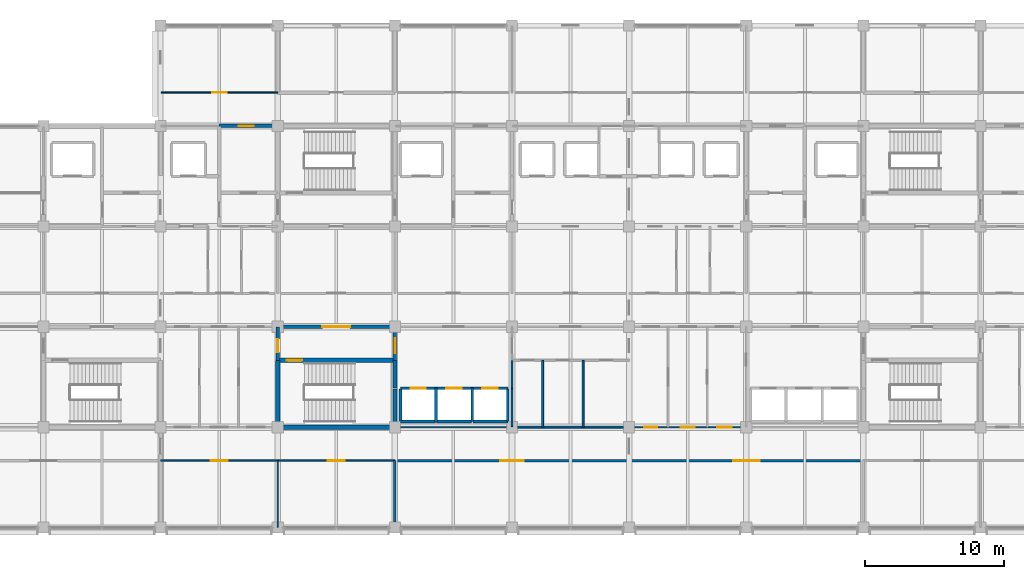
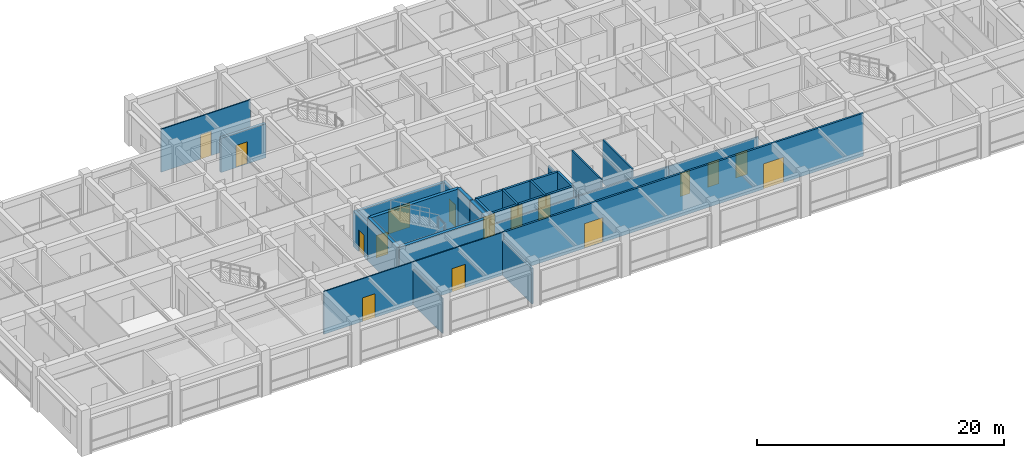
# One storey, part 18 of 30: 29 walls, 16 doors, 16 openings.
"""IFC4 building model written with IfcOpenShell, lengths in metres."""

from ifc_helpers import new_model, si_unit, direction, frame, frame_2d, origin, place, context, subcontext, project, spatial, rectangle, extrude, material, layer, layer_set, type_object, element, fill, save


model = new_model("IFC4")

# Units and contexts
model_context = context("Model", 3, precision=1e-05, world=origin(), true_north=direction((0.0, 1.0)))
body_context = subcontext(model_context, "Body", "Model", "MODEL_VIEW")
ifc_project = project(units=[si_unit("LENGTHUNIT", "METRE"), si_unit("AREAUNIT", "SQUARE_METRE"), si_unit("VOLUMEUNIT", "CUBIC_METRE"), si_unit("PLANEANGLEUNIT", "RADIAN"), si_unit("MASSUNIT", "GRAM", prefix="KILO")], contexts=[model_context])

# Site, building, storey
site_placement = place(None, origin())
site = spatial("IfcSite", under=ifc_project, at=site_placement, CompositionType="ELEMENT")
building_placement = place(site_placement, origin())
building = spatial("IfcBuilding", under=site, at=building_placement, Name="Chengyuan Square Courthouse", CompositionType="ELEMENT")
storey_placement = place(building_placement, frame((0.0, 0.0, 30.60009765625)))
storey = spatial("IfcBuildingStorey", under=building, at=storey_placement, Name="L07", CompositionType="ELEMENT", Elevation=30.60009765625)

# Wall, opening, door
ifc_material_1 = material(Name="Concrete C40", Category="concrete")
ifc_layer_1 = layer(ifc_material_1, 0.25)
ifc_layer_set_1 = layer_set([ifc_layer_1], Name="Concrete C40")
wall_type_1 = type_object("IfcWallType", Name="WL-FW1", PredefinedType="STANDARD", material=ifc_layer_set_1)
wall_1_placement = place(storey_placement, frame((58.800048828125, 93.60009765625, 0.0), z_axis=(0.0, 0.0, 1.0), x_axis=(1.0, 0.0, 0.0)))
wall_1 = element("IfcWall", 1, at=wall_1_placement, inside=storey, type_object=wall_type_1, Name="Interior Wall WL-L07-I2651", PredefinedType="STANDARD", context=body_context, shape_type="SweptSolid", body=[
    extrude(rectangle(XDim=8.39990234375, YDim=0.25, at=frame_2d((4.199951171875, 0.0))), origin(), (0.0, 0.0, 1.0), 3.389892578125),
])
opening_1_placement = place(wall_1_placement, frame((3.199951171875, 0.0, 0.0)))
opening_1 = element("IfcOpeningElement", 2, at=opening_1_placement, cuts=wall_1, Name="Opening DR-2316", PredefinedType="OPENING", context=body_context, shape_type="SweptSolid", body=[
    extrude(rectangle(XDim=2.0, YDim=2.39990234375, at=frame_2d((1.0, 1.199951171875))), frame((0.0, 0.136962890625, 0.0), z_axis=(0.0, -1.0, 0.0), x_axis=(1.0, 0.0, 0.0)), (0.0, 0.0, 1.0), 0.27392578125),
])
ifc_material_2 = material(Name="Steel Q235B Glazed Fire Door", Category="steel")
door_type_1 = type_object("IfcDoorType", Name="DT-20", OperationType="DOUBLE_DOOR_SINGLE_SWING", PredefinedType="DOOR", material=ifc_material_2)
door_1_placement = place(opening_1_placement, frame((2.0, 0.0, 0.0), z_axis=(0.0, 0.0, 1.0), x_axis=(-1.0, 0.0, 0.0)))
door_1 = element("IfcDoor", 3, at=door_1_placement, inside=storey, type_object=door_type_1, Name="Interior Door DR-2316", OperationType="DOUBLE_DOOR_SINGLE_SWING", OverallHeight=2.39990234375, OverallWidth=2.0, PredefinedType="DOOR", context=body_context, shape_type="SweptSolid", body=[
    extrude(rectangle(XDim=2.0, YDim=2.39990234375, at=frame_2d((1.0, 1.199951171875))), frame((0.0, 0.02490234375, 0.0), z_axis=(0.0, -1.0, 0.0), x_axis=(1.0, 0.0, 0.0)), (0.0, 0.0, 1.0), 0.050048828125),
])
fill(opening_1, door_1)

wall_2_placement = place(storey_placement, frame((54.60009765625, 108.0, 0.0), z_axis=(0.0, 0.0, 1.0), x_axis=(1.0, 0.0, 0.0)))
wall_2 = element("IfcWall", 4, at=wall_2_placement, inside=storey, type_object=wall_type_1, Name="Interior Wall WL-L07-I2720", PredefinedType="STANDARD", context=body_context, shape_type="SweptSolid", body=[
    extrude(rectangle(XDim=4.199951171875, YDim=0.25, at=frame_2d((2.10009765625, 0.0))), origin(), (0.0, 0.0, 1.0), 3.389892578125),
])
opening_2_placement = place(wall_2_placement, frame((1.389892578125, 0.0, 0.0)))
opening_2 = element("IfcOpeningElement", 5, at=opening_2_placement, cuts=wall_2, Name="Opening DR-2363", PredefinedType="OPENING", context=body_context, shape_type="SweptSolid", body=[
    extrude(rectangle(XDim=1.10009765625, YDim=2.199951171875, at=frame_2d((0.550048828125, 1.10009765625))), frame((0.0, 0.136962890625, 0.0), z_axis=(0.0, -1.0, 0.0), x_axis=(1.0, 0.0, 0.0)), (0.0, 0.0, 1.0), 0.27392578125),
])
ifc_material_3 = material(Name="Steel Q235B Fire Door", Category="steel")
door_type_2 = type_object("IfcDoorType", Name="DT-10", OperationType="NOTDEFINED", PredefinedType="DOOR", material=ifc_material_3)
door_2_placement = place(opening_2_placement, origin())
door_2 = element("IfcDoor", 6, at=door_2_placement, inside=storey, type_object=door_type_2, Name="Interior Door DR-2363", OperationType="SINGLE_SWING_LEFT", OverallHeight=2.199951171875, OverallWidth=1.10009765625, PredefinedType="DOOR", context=body_context, shape_type="SweptSolid", body=[
    extrude(rectangle(XDim=1.10009765625, YDim=2.199951171875, at=frame_2d((0.550048828125, 1.10009765625))), frame((0.0, 0.02490234375, 0.0), z_axis=(0.0, -1.0, 0.0), x_axis=(1.0, 0.0, 0.0)), (0.0, 0.0, 1.0), 0.050048828125),
])
fill(opening_2, door_2)

wall_3_placement = place(storey_placement, frame((58.800048828125, 91.199951171875, 0.0), z_axis=(0.0, 0.0, 1.0), x_axis=(0.0, 1.0, 0.0)))
wall_3 = element("IfcWall", 7, at=wall_3_placement, inside=storey, type_object=wall_type_1, Name="Interior Wall WL-L07-I2768", PredefinedType="STANDARD", context=body_context, shape_type="SweptSolid", body=[
    extrude(rectangle(XDim=2.400146484375, YDim=0.25, at=frame_2d((1.2001953125, 0.0))), origin(), (0.0, 0.0, 1.0), 3.489990234375),
])
opening_3_placement = place(wall_3_placement, frame((0.56494140625, 0.0, 0.0)))
opening_3 = element("IfcOpeningElement", 8, at=opening_3_placement, cuts=wall_3, Name="Opening DR-2317", PredefinedType="OPENING", context=body_context, shape_type="SweptSolid", body=[
    extrude(rectangle(XDim=0.949951171875, YDim=2.14990234375, at=frame_2d((0.47509765625, 1.074951171875))), frame((0.0, 0.136962890625, 0.0), z_axis=(0.0, -1.0, 0.0), x_axis=(1.0, 0.0, 0.0)), (0.0, 0.0, 1.0), 0.27392578125),
])
door_type_3 = type_object("IfcDoorType", Name="DT-12", OperationType="NOTDEFINED", PredefinedType="DOOR", material=ifc_material_3)
door_3_placement = place(opening_3_placement, origin())
door_3 = element("IfcDoor", 9, at=door_3_placement, inside=storey, type_object=door_type_3, Name="Interior Door DR-2317", OperationType="SINGLE_SWING_LEFT", OverallHeight=2.14990234375, OverallWidth=0.949951171875, PredefinedType="DOOR", context=body_context, shape_type="SweptSolid", body=[
    extrude(rectangle(XDim=0.949951171875, YDim=2.14990234375, at=frame_2d((0.47509765625, 1.074951171875))), frame((0.0, 0.02490234375, 0.0), z_axis=(0.0, -1.0, 0.0), x_axis=(1.0, 0.0, 0.0)), (0.0, 0.0, 1.0), 0.050048828125),
])
fill(opening_3, door_3)

wall_4_placement = place(storey_placement, frame((67.199951171875, 91.199951171875, 0.0), z_axis=(0.0, 0.0, 1.0), x_axis=(0.0, 1.0, 0.0)))
wall_4 = element("IfcWall", 10, at=wall_4_placement, inside=storey, type_object=wall_type_1, Name="Interior Wall WL-L07-I2776", PredefinedType="STANDARD", context=body_context, shape_type="SweptSolid", body=[
    extrude(rectangle(XDim=2.400146484375, YDim=0.25, at=frame_2d((1.2001953125, 0.0))), origin(), (0.0, 0.0, 1.0), 3.489990234375),
])
opening_4_placement = place(wall_4_placement, frame((0.489990234375, 0.0, 0.0)))
opening_4 = element("IfcOpeningElement", 11, at=opening_4_placement, cuts=wall_4, Name="Opening DR-2315", PredefinedType="OPENING", context=body_context, shape_type="SweptSolid", body=[
    extrude(rectangle(XDim=1.10009765625, YDim=2.199951171875, at=frame_2d((0.550048828125, 1.10009765625))), frame((0.0, 0.136962890625, 0.0), z_axis=(0.0, -1.0, 0.0), x_axis=(1.0, 0.0, 0.0)), (0.0, 0.0, 1.0), 0.27392578125),
])
door_4_placement = place(opening_4_placement, origin())
door_4 = element("IfcDoor", 12, at=door_4_placement, inside=storey, type_object=door_type_2, Name="Interior Door DR-2315", OperationType="SINGLE_SWING_RIGHT", OverallHeight=2.199951171875, OverallWidth=1.10009765625, PredefinedType="DOOR", context=body_context, shape_type="SweptSolid", body=[
    extrude(rectangle(XDim=1.10009765625, YDim=2.199951171875, at=frame_2d((0.550048828125, 1.10009765625))), frame((0.0, 0.02490234375, 0.0), z_axis=(0.0, -1.0, 0.0), x_axis=(1.0, 0.0, 0.0)), (0.0, 0.0, 1.0), 0.050048828125),
])
fill(opening_4, door_4)

# Wall, openings, doors
ifc_material_4 = material(Name="Double-Stud Acoustic Gypsum Courtroom Partition")
ifc_layer_2 = layer(ifc_material_4, 0.179931640625)
ifc_layer_set_2 = layer_set([ifc_layer_2], Name="Double-Stud Acoustic Gypsum Courtroom Partition")
wall_type_2 = type_object("IfcWallType", Name="WL-PT1", PredefinedType="STANDARD", material=ifc_layer_set_2)
wall_5_placement = place(storey_placement, frame((67.199951171875, 84.0, 0.0), z_axis=(0.0, 0.0, 1.0), x_axis=(1.0, 0.0, 0.0)))
wall_5 = element("IfcWall", 13, at=wall_5_placement, inside=storey, type_object=wall_type_2, Name="Interior Wall WL-L07-I2619", PredefinedType="STANDARD", context=body_context, shape_type="SweptSolid", body=[
    extrude(rectangle(XDim=33.60009765625, YDim=0.179931640625, at=frame_2d((16.800048828125, 0.0))), origin(), (0.0, 0.0, 1.0), 4.239990234375),
])
opening_5_placement = place(wall_5_placement, frame((7.550048828125, 0.0, 0.0)))
opening_5 = element("IfcOpeningElement", 14, at=opening_5_placement, cuts=wall_5, Name="Opening DR-2486", PredefinedType="OPENING", context=body_context, shape_type="SweptSolid", body=[
    extrude(rectangle(XDim=1.699951171875, YDim=2.449951171875, at=frame_2d((0.85009765625, 1.22509765625))), frame((0.0, 0.10205078125, 0.0), z_axis=(0.0, -1.0, 0.0), x_axis=(1.0, 0.0, 0.0)), (0.0, 0.0, 1.0), 0.203857421875),
])
opening_6_placement = place(wall_5_placement, frame((24.25, 0.0, 0.0)))
opening_6 = element("IfcOpeningElement", 15, at=opening_6_placement, cuts=wall_5, Name="Opening DR-2488", PredefinedType="OPENING", context=body_context, shape_type="SweptSolid", body=[
    extrude(rectangle(XDim=1.89990234375, YDim=2.5, at=frame_2d((0.949951171875, 1.25))), frame((0.0, 0.10205078125, 0.0), z_axis=(0.0, -1.0, 0.0), x_axis=(1.0, 0.0, 0.0)), (0.0, 0.0, 1.0), 0.203857421875),
])
ifc_material_5 = material(Name="Acoustic Larch Veneer Double Door")
door_type_4 = type_object("IfcDoorType", Name="DT-24", OperationType="DOUBLE_DOOR_SINGLE_SWING", PredefinedType="DOOR", material=ifc_material_5)
door_5_placement = place(opening_5_placement, frame((1.699951171875, 0.0, 0.0), z_axis=(0.0, 0.0, 1.0), x_axis=(-1.0, 0.0, 0.0)))
door_5 = element("IfcDoor", 16, at=door_5_placement, inside=storey, type_object=door_type_4, Name="Interior Door DR-2486", OperationType="DOUBLE_DOOR_SINGLE_SWING", OverallHeight=2.449951171875, OverallWidth=1.699951171875, PredefinedType="DOOR", context=body_context, shape_type="SweptSolid", body=[
    extrude(rectangle(XDim=1.699951171875, YDim=2.449951171875, at=frame_2d((0.85009765625, 1.22509765625))), frame((0.0, 0.02490234375, 0.0), z_axis=(0.0, -1.0, 0.0), x_axis=(1.0, 0.0, 0.0)), (0.0, 0.0, 1.0), 0.050048828125),
])
fill(opening_5, door_5)
door_type_5 = type_object("IfcDoorType", Name="DT-26", OperationType="DOUBLE_DOOR_SINGLE_SWING", PredefinedType="DOOR", material=ifc_material_5)
door_6_placement = place(opening_6_placement, frame((1.89990234375, 0.0, 0.0), z_axis=(0.0, 0.0, 1.0), x_axis=(-1.0, 0.0, 0.0)))
door_6 = element("IfcDoor", 17, at=door_6_placement, inside=storey, type_object=door_type_5, Name="Interior Door DR-2488", OperationType="DOUBLE_DOOR_SINGLE_SWING", OverallHeight=2.5, OverallWidth=1.89990234375, PredefinedType="DOOR", context=body_context, shape_type="SweptSolid", body=[
    extrude(rectangle(XDim=1.89990234375, YDim=2.5, at=frame_2d((0.949951171875, 1.25))), frame((0.0, 0.02490234375, 0.0), z_axis=(0.0, -1.0, 0.0), x_axis=(1.0, 0.0, 0.0)), (0.0, 0.0, 1.0), 0.050048828125),
])
fill(opening_6, door_6)

# Walls
wall_6_placement = place(storey_placement, frame((67.199951171875, 79.239990234375, 0.0), z_axis=(0.0, 0.0, 1.0), x_axis=(0.0, 1.0, 0.0)))
element("IfcWall", 18, at=wall_6_placement, inside=storey, type_object=wall_type_2, Name="Interior Wall WL-L07-I2773", PredefinedType="STANDARD", context=body_context, shape_type="SweptSolid", body=[
    extrude(rectangle(XDim=4.760009765625, YDim=0.179931640625, at=frame_2d((2.3798828125, 0.0))), origin(), (0.0, 0.0, 1.0), 3.489990234375),
])
ifc_material_6 = material(Name="Moisture-Resistant Masonry Wet-Room Partition", Category="masonry")
ifc_layer_3 = layer(ifc_material_6, 0.139892578125)
ifc_layer_set_3 = layer_set([ifc_layer_3], Name="Moisture-Resistant Masonry Wet-Room Partition")
wall_type_3 = type_object("IfcWallType", Name="WL-PT4", PredefinedType="STANDARD", material=ifc_layer_set_3)
wall_7_placement = place(storey_placement, frame((75.60009765625, 86.39990234375, 0.0), z_axis=(0.0, 0.0, 1.0), x_axis=(1.0, 0.0, 0.0)))
element("IfcWall", 19, at=wall_7_placement, inside=storey, type_object=wall_type_3, Name="Interior Wall WL-L07-I2628", PredefinedType="STANDARD", context=body_context, shape_type="SweptSolid", body=[
    extrude(rectangle(XDim=8.39990234375, YDim=0.139892578125, at=frame_2d((4.199951171875, 0.0))), origin(), (0.0, 0.0, 1.0), 3.389892578125),
])
wall_8_placement = place(storey_placement, frame((75.60009765625, 86.449951171875, 0.0), z_axis=(0.0, 0.0, 1.0), x_axis=(0.0, 1.0, 0.0)))
element("IfcWall", 20, at=wall_8_placement, inside=storey, type_object=wall_type_3, Name="Interior Wall WL-L07-I2790", PredefinedType="STANDARD", context=body_context, shape_type="SweptSolid", body=[
    extrude(rectangle(XDim=2.699951171875, YDim=0.139892578125, at=frame_2d((1.35009765625, 0.0))), origin(), (0.0, 0.0, 1.0), 3.489990234375),
])
wall_9_placement = place(storey_placement, frame((75.60009765625, 89.199951171875, 0.0), z_axis=(0.0, 0.0, 1.0), x_axis=(0.0, 1.0, 0.0)))
element("IfcWall", 21, at=wall_9_placement, inside=storey, type_object=wall_type_3, Name="Interior Wall WL-L07-I2791", PredefinedType="STANDARD", context=body_context, shape_type="SweptSolid", body=[
    extrude(rectangle(XDim=2.0, YDim=0.139892578125, at=frame_2d((1.0, 0.0))), origin(), (0.0, 0.0, 1.0), 3.489990234375),
])
for number, where, z_axis, x_axis, name in (
    (22, (77.800048828125, 86.39990234375, 0.0), (0.0, 0.0, 1.0), (0.0, 1.0, 0.0), "Interior Wall WL-L07-I2798"),
    (23, (80.699951171875, 86.39990234375, 0.0), (0.0, 0.0, 1.0), (0.0, 1.0, 0.0), "Interior Wall WL-L07-I2801"),
):
    element("IfcWall", number, at=place(storey_placement, frame(where, z_axis=z_axis, x_axis=x_axis)), inside=storey, type_object=wall_type_3, Name=name, PredefinedType="STANDARD", context=body_context, shape_type="SweptSolid", body=[
        extrude(rectangle(XDim=4.800048828125, YDim=0.139892578125, at=frame_2d((2.39990234375, 0.0))), origin(), (0.0, 0.0, 1.0), 4.239990234375),
    ])

# Wall, openings, doors
ifc_material_7 = material(Name="Gypsum Plasterboard Acoustic Stud Partition")
ifc_layer_4 = layer(ifc_material_7, 0.10009765625)
ifc_layer_set_4 = layer_set([ifc_layer_4], Name="Gypsum Plasterboard Acoustic Stud Partition")
wall_type_4 = type_object("IfcWallType", Name="WL-PT6", PredefinedType="STANDARD", material=ifc_layer_set_4)
wall_10_placement = place(storey_placement, frame((50.39990234375, 84.0, 0.0), z_axis=(0.0, 0.0, 1.0), x_axis=(1.0, 0.0, 0.0)))
wall_10 = element("IfcWall", 24, at=wall_10_placement, inside=storey, type_object=wall_type_4, Name="Interior Wall WL-L07-I2618", PredefinedType="STANDARD", context=body_context, shape_type="SweptSolid", body=[
    extrude(rectangle(XDim=16.800048828125, YDim=0.10009765625, at=frame_2d((8.39990234375, 0.0))), origin(), (0.0, 0.0, 1.0), 4.239990234375),
])
opening_7_placement = place(wall_10_placement, frame((3.60009765625, 0.0, 0.0)))
opening_7 = element("IfcOpeningElement", 25, at=opening_7_placement, cuts=wall_10, Name="Opening DR-2484", PredefinedType="OPENING", context=body_context, shape_type="SweptSolid", body=[
    extrude(rectangle(XDim=1.199951171875, YDim=2.35009765625, at=frame_2d((0.60009765625, 1.175048828125))), frame((0.0, 0.06201171875, 0.0), z_axis=(0.0, -1.0, 0.0), x_axis=(1.0, 0.0, 0.0)), (0.0, 0.0, 1.0), 0.1240234375),
])
opening_8_placement = place(wall_10_placement, frame((11.97998046875, 0.0, 0.0)))
opening_8 = element("IfcOpeningElement", 26, at=opening_8_placement, cuts=wall_10, Name="Opening DR-2485", PredefinedType="OPENING", context=body_context, shape_type="SweptSolid", body=[
    extrude(rectangle(XDim=1.239990234375, YDim=2.300048828125, at=frame_2d((0.6201171875, 1.14990234375))), frame((0.0, 0.06201171875, 0.0), z_axis=(0.0, -1.0, 0.0), x_axis=(1.0, 0.0, 0.0)), (0.0, 0.0, 1.0), 0.1240234375),
])
ifc_material_8 = material(Name="Acoustic Solid-Core Timber Door", Category="wood")
door_type_6 = type_object("IfcDoorType", Name="DT-36", OperationType="NOTDEFINED", PredefinedType="DOOR", material=ifc_material_8)
door_7_placement = place(opening_7_placement, origin())
door_7 = element("IfcDoor", 27, at=door_7_placement, inside=storey, type_object=door_type_6, Name="Interior Door DR-2484", OperationType="SINGLE_SWING_RIGHT", OverallHeight=2.35009765625, OverallWidth=1.199951171875, PredefinedType="DOOR", context=body_context, shape_type="SweptSolid", body=[
    extrude(rectangle(XDim=1.199951171875, YDim=2.35009765625, at=frame_2d((0.60009765625, 1.175048828125))), frame((0.0, 0.02490234375, 0.0), z_axis=(0.0, -1.0, 0.0), x_axis=(1.0, 0.0, 0.0)), (0.0, 0.0, 1.0), 0.050048828125),
])
fill(opening_7, door_7)
door_type_7 = type_object("IfcDoorType", Name="DT-37", OperationType="NOTDEFINED", PredefinedType="DOOR", material=ifc_material_8)
door_8_placement = place(opening_8_placement, origin())
door_8 = element("IfcDoor", 28, at=door_8_placement, inside=storey, type_object=door_type_7, Name="Interior Door DR-2485", OperationType="SINGLE_SWING_LEFT", OverallHeight=2.300048828125, OverallWidth=1.239990234375, PredefinedType="DOOR", context=body_context, shape_type="SweptSolid", body=[
    extrude(rectangle(XDim=1.239990234375, YDim=2.300048828125, at=frame_2d((0.6201171875, 1.14990234375))), frame((0.0, 0.02490234375, 0.0), z_axis=(0.0, -1.0, 0.0), x_axis=(1.0, 0.0, 0.0)), (0.0, 0.0, 1.0), 0.050048828125),
])
fill(opening_8, door_8)

# Wall
wall_11_placement = place(storey_placement, frame((67.25, 86.39990234375, 0.0), z_axis=(0.0, 0.0, 1.0), x_axis=(1.0, 0.0, 0.0)))
element("IfcWall", 29, at=wall_11_placement, inside=storey, type_object=wall_type_4, Name="Interior Wall WL-L07-I2627", PredefinedType="STANDARD", context=body_context, shape_type="SweptSolid", body=[
    extrude(rectangle(XDim=8.300048828125, YDim=0.10009765625, at=frame_2d((4.14990234375, 0.0))), origin(), (0.0, 0.0, 1.0), 3.389892578125),
])

# Wall, openings, doors
wall_12_placement = place(storey_placement, frame((84.0, 86.39990234375, 0.0), z_axis=(0.0, 0.0, 1.0), x_axis=(1.0, 0.0, 0.0)))
wall_12 = element("IfcWall", 30, at=wall_12_placement, inside=storey, type_object=wall_type_4, Name="Interior Wall WL-L07-I2629", PredefinedType="STANDARD", context=body_context, shape_type="SweptSolid", body=[
    extrude(rectangle(XDim=8.39990234375, YDim=0.10009765625, at=frame_2d((4.199951171875, 0.0))), origin(), (0.0, 0.0, 1.0), 3.389892578125),
])
opening_9_placement = place(wall_12_placement, frame((1.090087890625, 0.0, 0.0)))
opening_9 = element("IfcOpeningElement", 31, at=opening_9_placement, cuts=wall_12, Name="Opening DR-2453", PredefinedType="OPENING", context=body_context, shape_type="SweptSolid", body=[
    extrude(rectangle(XDim=0.93994140625, YDim=2.300048828125, at=frame_2d((0.469970703125, 1.14990234375))), frame((0.0, 0.06201171875, 0.0), z_axis=(0.0, -1.0, 0.0), x_axis=(1.0, 0.0, 0.0)), (0.0, 0.0, 1.0), 0.1240234375),
])
opening_10_placement = place(wall_12_placement, frame((3.68994140625, 0.0, 0.0)))
opening_10 = element("IfcOpeningElement", 32, at=opening_10_placement, cuts=wall_12, Name="Opening DR-2455", PredefinedType="OPENING", context=body_context, shape_type="SweptSolid", body=[
    extrude(rectangle(XDim=1.02001953125, YDim=2.39990234375, at=frame_2d((0.510009765625, 1.199951171875))), frame((0.0, 0.06201171875, 0.0), z_axis=(0.0, -1.0, 0.0), x_axis=(1.0, 0.0, 0.0)), (0.0, 0.0, 1.0), 0.1240234375),
])
opening_11_placement = place(wall_12_placement, frame((6.31005859375, 0.0, 0.0)))
opening_11 = element("IfcOpeningElement", 33, at=opening_11_placement, cuts=wall_12, Name="Opening DR-2456", PredefinedType="OPENING", context=body_context, shape_type="SweptSolid", body=[
    extrude(rectangle(XDim=1.06005859375, YDim=2.39990234375, at=frame_2d((0.530029296875, 1.199951171875))), frame((0.0, 0.06201171875, 0.0), z_axis=(0.0, -1.0, 0.0), x_axis=(1.0, 0.0, 0.0)), (0.0, 0.0, 1.0), 0.1240234375),
])
door_type_8 = type_object("IfcDoorType", Name="DT-39", OperationType="NOTDEFINED", PredefinedType="DOOR", material=ifc_material_8)
door_9_placement = place(opening_9_placement, origin())
door_9 = element("IfcDoor", 34, at=door_9_placement, inside=storey, type_object=door_type_8, Name="Interior Door DR-2453", OperationType="SINGLE_SWING_LEFT", OverallHeight=2.300048828125, OverallWidth=0.93994140625, PredefinedType="DOOR", context=body_context, shape_type="SweptSolid", body=[
    extrude(rectangle(XDim=0.93994140625, YDim=2.300048828125, at=frame_2d((0.469970703125, 1.14990234375))), frame((0.0, 0.02490234375, 0.0), z_axis=(0.0, -1.0, 0.0), x_axis=(1.0, 0.0, 0.0)), (0.0, 0.0, 1.0), 0.050048828125),
])
fill(opening_9, door_9)
door_type_9 = type_object("IfcDoorType", Name="DT-41", OperationType="NOTDEFINED", PredefinedType="DOOR", material=ifc_material_8)
door_10_placement = place(opening_10_placement, origin())
door_10 = element("IfcDoor", 35, at=door_10_placement, inside=storey, type_object=door_type_9, Name="Interior Door DR-2455", OperationType="SINGLE_SWING_LEFT", OverallHeight=2.39990234375, OverallWidth=1.02001953125, PredefinedType="DOOR", context=body_context, shape_type="SweptSolid", body=[
    extrude(rectangle(XDim=1.02001953125, YDim=2.39990234375, at=frame_2d((0.510009765625, 1.199951171875))), frame((0.0, 0.02490234375, 0.0), z_axis=(0.0, -1.0, 0.0), x_axis=(1.0, 0.0, 0.0)), (0.0, 0.0, 1.0), 0.050048828125),
])
fill(opening_10, door_10)
door_type_10 = type_object("IfcDoorType", Name="DT-42", OperationType="NOTDEFINED", PredefinedType="DOOR", material=ifc_material_8)
door_11_placement = place(opening_11_placement, origin())
door_11 = element("IfcDoor", 36, at=door_11_placement, inside=storey, type_object=door_type_10, Name="Interior Door DR-2456", OperationType="SINGLE_SWING_RIGHT", OverallHeight=2.39990234375, OverallWidth=1.06005859375, PredefinedType="DOOR", context=body_context, shape_type="SweptSolid", body=[
    extrude(rectangle(XDim=1.06005859375, YDim=2.39990234375, at=frame_2d((0.530029296875, 1.199951171875))), frame((0.0, 0.02490234375, 0.0), z_axis=(0.0, -1.0, 0.0), x_axis=(1.0, 0.0, 0.0)), (0.0, 0.0, 1.0), 0.050048828125),
])
fill(opening_11, door_11)

# Wall, opening, door
wall_13_placement = place(storey_placement, frame((50.43994140625, 110.39990234375, 0.0), z_axis=(0.0, 0.0, 1.0), x_axis=(1.0, 0.0, 0.0)))
wall_13 = element("IfcWall", 37, at=wall_13_placement, inside=storey, type_object=wall_type_4, Name="Interior Wall WL-L07-I2732", PredefinedType="STANDARD", context=body_context, shape_type="SweptSolid", body=[
    extrude(rectangle(XDim=8.360107421875, YDim=0.10009765625, at=frame_2d((4.18017578125, 0.0))), origin(), (0.0, 0.0, 1.0), 4.239990234375),
])
opening_12_placement = place(wall_13_placement, frame((3.669921875, 0.0, 0.0)))
opening_12 = element("IfcOpeningElement", 38, at=opening_12_placement, cuts=wall_13, Name="Opening DR-2472", PredefinedType="OPENING", context=body_context, shape_type="SweptSolid", body=[
    extrude(rectangle(XDim=1.02001953125, YDim=2.39990234375, at=frame_2d((0.510009765625, 1.199951171875))), frame((0.0, 0.06201171875, 0.0), z_axis=(0.0, -1.0, 0.0), x_axis=(1.0, 0.0, 0.0)), (0.0, 0.0, 1.0), 0.1240234375),
])
door_12_placement = place(opening_12_placement, origin())
door_12 = element("IfcDoor", 39, at=door_12_placement, inside=storey, type_object=door_type_9, Name="Interior Door DR-2472", OperationType="SINGLE_SWING_RIGHT", OverallHeight=2.39990234375, OverallWidth=1.02001953125, PredefinedType="DOOR", context=body_context, shape_type="SweptSolid", body=[
    extrude(rectangle(XDim=1.02001953125, YDim=2.39990234375, at=frame_2d((0.510009765625, 1.199951171875))), frame((0.0, 0.02490234375, 0.0), z_axis=(0.0, -1.0, 0.0), x_axis=(1.0, 0.0, 0.0)), (0.0, 0.0, 1.0), 0.050048828125),
])
fill(opening_12, door_12)

# Walls
wall_14_placement = place(storey_placement, frame((58.800048828125, 79.239990234375, 0.0), z_axis=(0.0, 0.0, 1.0), x_axis=(0.0, 1.0, 0.0)))
element("IfcWall", 40, at=wall_14_placement, inside=storey, type_object=wall_type_4, Name="Interior Wall WL-L07-I2766", PredefinedType="STANDARD", context=body_context, shape_type="SweptSolid", body=[
    extrude(rectangle(XDim=4.760009765625, YDim=0.10009765625, at=frame_2d((2.3798828125, 0.0))), origin(), (0.0, 0.0, 1.0), 3.489990234375),
])
ifc_material_9 = material(Name="Reinforced Masonry Shaft Enclosure", Category="masonry")
ifc_layer_5 = layer(ifc_material_9, 0.199951171875)
ifc_layer_set_5 = layer_set([ifc_layer_5], Name="Reinforced Masonry Shaft Enclosure")
wall_type_5 = type_object("IfcWallType", Name="WL-SH1", PredefinedType="STANDARD", material=ifc_layer_set_5)
for number, where, z_axis, x_axis, name in (
    (41, (67.60009765625, 86.800048828125, 0.0), (0.0, 0.0, 1.0), (1.0, 0.0, 0.0), "Interior Wall WL-L07-I2635"),
    (42, (70.199951171875, 86.800048828125, 0.0), (0.0, 0.0, 1.0), (1.0, 0.0, 0.0), "Interior Wall WL-L07-I2636"),
    (43, (72.800048828125, 86.800048828125, 0.0), (0.0, 0.0, 1.0), (1.0, 0.0, 0.0), "Interior Wall WL-L07-I2637"),
):
    element("IfcWall", number, at=place(storey_placement, frame(where, z_axis=z_axis, x_axis=x_axis)), inside=storey, type_object=wall_type_5, Name=name, PredefinedType="STANDARD", context=body_context, shape_type="SweptSolid", body=[
        extrude(rectangle(XDim=2.5, YDim=0.199951171875, at=frame_2d((1.25, 0.0))), origin(), (0.0, 0.0, 1.0), 4.239990234375),
    ])

# Wall, openings, doors
wall_15_placement = place(storey_placement, frame((67.60009765625, 89.199951171875, 0.0), z_axis=(0.0, 0.0, 1.0), x_axis=(1.0, 0.0, 0.0)))
wall_15 = element("IfcWall", 44, at=wall_15_placement, inside=storey, type_object=wall_type_5, Name="Interior Wall WL-L07-I2641", PredefinedType="STANDARD", context=body_context, shape_type="SweptSolid", body=[
    extrude(rectangle(XDim=7.699951171875, YDim=0.199951171875, at=frame_2d((3.85009765625, 0.0))), origin(), (0.0, 0.0, 1.0), 4.239990234375),
])
opening_13_placement = place(wall_15_placement, frame((0.72509765625, 0.0, 0.0)))
opening_13 = element("IfcOpeningElement", 45, at=opening_13_placement, cuts=wall_15, Name="Opening LD-125", PredefinedType="OPENING", context=body_context, shape_type="SweptSolid", body=[
    extrude(rectangle(XDim=1.10009765625, YDim=2.14990234375, at=frame_2d((0.550048828125, 1.074951171875))), frame((0.0, 0.112060546875, 0.0), z_axis=(0.0, -1.0, 0.0), x_axis=(1.0, 0.0, 0.0)), (0.0, 0.0, 1.0), 0.223876953125),
])
opening_14_placement = place(wall_15_placement, frame((3.300048828125, 0.0, 0.0)))
opening_14 = element("IfcOpeningElement", 46, at=opening_14_placement, cuts=wall_15, Name="Opening LD-126", PredefinedType="OPENING", context=body_context, shape_type="SweptSolid", body=[
    extrude(rectangle(XDim=1.10009765625, YDim=2.14990234375, at=frame_2d((0.550048828125, 1.074951171875))), frame((0.0, 0.112060546875, 0.0), z_axis=(0.0, -1.0, 0.0), x_axis=(1.0, 0.0, 0.0)), (0.0, 0.0, 1.0), 0.223876953125),
])
opening_15_placement = place(wall_15_placement, frame((5.875, 0.0, 0.0)))
opening_15 = element("IfcOpeningElement", 47, at=opening_15_placement, cuts=wall_15, Name="Opening LD-127", PredefinedType="OPENING", context=body_context, shape_type="SweptSolid", body=[
    extrude(rectangle(XDim=1.10009765625, YDim=2.14990234375, at=frame_2d((0.550048828125, 1.074951171875))), frame((0.0, 0.112060546875, 0.0), z_axis=(0.0, -1.0, 0.0), x_axis=(1.0, 0.0, 0.0)), (0.0, 0.0, 1.0), 0.223876953125),
])
ifc_material_10 = material(Name="Stainless Steel S30408 Lift Landing Door", Category="steel")
door_type_11 = type_object("IfcDoorType", Name="DT-06", OperationType="DOUBLE_DOOR_SLIDING", PredefinedType="DOOR", material=ifc_material_10)
door_13_placement = place(opening_13_placement, origin())
door_13 = element("IfcDoor", 48, at=door_13_placement, inside=storey, type_object=door_type_11, Name="Lift Landing Door LF-P1 L07", OperationType="DOUBLE_DOOR_SLIDING", OverallHeight=2.14990234375, OverallWidth=1.10009765625, PredefinedType="DOOR", context=body_context, shape_type="SweptSolid", body=[
    extrude(rectangle(XDim=1.10009765625, YDim=2.14990234375, at=frame_2d((0.550048828125, 1.074951171875))), frame((0.0, 0.02490234375, 0.0), z_axis=(0.0, -1.0, 0.0), x_axis=(1.0, 0.0, 0.0)), (0.0, 0.0, 1.0), 0.050048828125),
])
fill(opening_13, door_13)
door_14_placement = place(opening_14_placement, origin())
door_14 = element("IfcDoor", 49, at=door_14_placement, inside=storey, type_object=door_type_11, Name="Lift Landing Door LF-P2 L07", OperationType="DOUBLE_DOOR_SLIDING", OverallHeight=2.14990234375, OverallWidth=1.10009765625, PredefinedType="DOOR", context=body_context, shape_type="SweptSolid", body=[
    extrude(rectangle(XDim=1.10009765625, YDim=2.14990234375, at=frame_2d((0.550048828125, 1.074951171875))), frame((0.0, 0.02490234375, 0.0), z_axis=(0.0, -1.0, 0.0), x_axis=(1.0, 0.0, 0.0)), (0.0, 0.0, 1.0), 0.050048828125),
])
fill(opening_14, door_14)
door_15_placement = place(opening_15_placement, origin())
door_15 = element("IfcDoor", 50, at=door_15_placement, inside=storey, type_object=door_type_11, Name="Lift Landing Door LF-P3 L07", OperationType="DOUBLE_DOOR_SLIDING", OverallHeight=2.14990234375, OverallWidth=1.10009765625, PredefinedType="DOOR", context=body_context, shape_type="SweptSolid", body=[
    extrude(rectangle(XDim=1.10009765625, YDim=2.14990234375, at=frame_2d((0.550048828125, 1.074951171875))), frame((0.0, 0.02490234375, 0.0), z_axis=(0.0, -1.0, 0.0), x_axis=(1.0, 0.0, 0.0)), (0.0, 0.0, 1.0), 0.050048828125),
])
fill(opening_15, door_15)

# Walls
wall_16_placement = place(storey_placement, frame((67.60009765625, 86.85009765625, 0.0), z_axis=(0.0, 0.0, 1.0), x_axis=(0.0, 1.0, 0.0)))
element("IfcWall", 51, at=wall_16_placement, inside=storey, type_object=wall_type_5, Name="Interior Wall WL-L07-I2782", PredefinedType="STANDARD", context=body_context, shape_type="SweptSolid", body=[
    extrude(rectangle(XDim=2.2998046875, YDim=0.199951171875, at=frame_2d((1.14990234375, 0.0))), origin(), (0.0, 0.0, 1.0), 4.239990234375),
])
for number, where, z_axis, x_axis, name in (
    (52, (70.14990234375, 86.800048828125, 0.0), (0.0, 0.0, 1.0), (0.0, 1.0, 0.0), "Interior Wall WL-L07-I2784"),
    (53, (72.75, 86.800048828125, 0.0), (0.0, 0.0, 1.0), (0.0, 1.0, 0.0), "Interior Wall WL-L07-I2788"),
):
    element("IfcWall", number, at=place(storey_placement, frame(where, z_axis=z_axis, x_axis=x_axis)), inside=storey, type_object=wall_type_5, Name=name, PredefinedType="STANDARD", context=body_context, shape_type="SweptSolid", body=[
        extrude(rectangle(XDim=2.39990234375, YDim=0.199951171875, at=frame_2d((1.199951171875, 0.0))), origin(), (0.0, 0.0, 1.0), 4.239990234375),
    ])
wall_17_placement = place(storey_placement, frame((75.300048828125, 86.85009765625, 0.0), z_axis=(0.0, 0.0, 1.0), x_axis=(0.0, 1.0, 0.0)))
element("IfcWall", 54, at=wall_17_placement, inside=storey, type_object=wall_type_5, Name="Interior Wall WL-L07-I2789", PredefinedType="STANDARD", context=body_context, shape_type="SweptSolid", body=[
    extrude(rectangle(XDim=2.2998046875, YDim=0.199951171875, at=frame_2d((1.14990234375, 0.0))), origin(), (0.0, 0.0, 1.0), 4.239990234375),
])
ifc_layer_6 = layer(ifc_material_1, 0.300048828125)
ifc_layer_set_6 = layer_set([ifc_layer_6], Name="Concrete C40")
wall_type_6 = type_object("IfcWallType", Name="WL-SW2", PredefinedType="SHEAR", material=ifc_layer_set_6)
wall_18_placement = place(storey_placement, frame((58.800048828125, 86.39990234375, 0.0), z_axis=(0.0, 0.0, 1.0), x_axis=(1.0, 0.0, 0.0)))
element("IfcWall", 55, at=wall_18_placement, inside=storey, type_object=wall_type_6, Name="Interior Wall WL-L07-I2626", PredefinedType="SHEAR", context=body_context, shape_type="SweptSolid", body=[
    extrude(rectangle(XDim=8.39990234375, YDim=0.300048828125, at=frame_2d((4.199951171875, 0.0))), origin(), (0.0, 0.0, 1.0), 4.239990234375),
])

# Wall, opening, door
wall_19_placement = place(storey_placement, frame((58.800048828125, 91.199951171875, 0.0), z_axis=(0.0, 0.0, 1.0), x_axis=(1.0, 0.0, 0.0)))
wall_19 = element("IfcWall", 56, at=wall_19_placement, inside=storey, type_object=wall_type_6, Name="Interior Wall WL-L07-I2644", PredefinedType="SHEAR", context=body_context, shape_type="SweptSolid", body=[
    extrude(rectangle(XDim=8.39990234375, YDim=0.300048828125, at=frame_2d((4.199951171875, 0.0))), origin(), (0.0, 0.0, 1.0), 4.239990234375),
])
opening_16_placement = place(wall_19_placement, frame((0.64990234375, 0.0, 0.0)))
opening_16 = element("IfcOpeningElement", 57, at=opening_16_placement, cuts=wall_19, Name="Opening DR-2305", PredefinedType="OPENING", context=body_context, shape_type="SweptSolid", body=[
    extrude(rectangle(XDim=1.10009765625, YDim=2.199951171875, at=frame_2d((0.550048828125, 1.10009765625))), frame((0.0, 0.162109375, 0.0), z_axis=(0.0, -1.0, 0.0), x_axis=(1.0, 0.0, 0.0)), (0.0, 0.0, 1.0), 0.323974609375),
])
door_16_placement = place(opening_16_placement, frame((1.10009765625, 0.0, 0.0), z_axis=(0.0, 0.0, 1.0), x_axis=(-1.0, 0.0, 0.0)))
door_16 = element("IfcDoor", 58, at=door_16_placement, inside=storey, type_object=door_type_2, Name="Smoke-Proof Stairwell Fire Door ST-3 DR-2305", OperationType="SINGLE_SWING_RIGHT", OverallHeight=2.199951171875, OverallWidth=1.10009765625, PredefinedType="DOOR", context=body_context, shape_type="SweptSolid", body=[
    extrude(rectangle(XDim=1.10009765625, YDim=2.199951171875, at=frame_2d((0.550048828125, 1.10009765625))), frame((0.0, 0.02490234375, 0.0), z_axis=(0.0, -1.0, 0.0), x_axis=(1.0, 0.0, 0.0)), (0.0, 0.0, 1.0), 0.050048828125),
])
fill(opening_16, door_16)

# Walls
wall_20_placement = place(storey_placement, frame((58.800048828125, 86.39990234375, 0.0), z_axis=(0.0, 0.0, 1.0), x_axis=(0.0, 1.0, 0.0)))
element("IfcWall", 59, at=wall_20_placement, inside=storey, type_object=wall_type_6, Name="Interior Wall WL-L07-I2767", PredefinedType="SHEAR", context=body_context, shape_type="SweptSolid", body=[
    extrude(rectangle(XDim=4.800048828125, YDim=0.300048828125, at=frame_2d((2.39990234375, 0.0))), origin(), (0.0, 0.0, 1.0), 4.239990234375),
])
wall_21_placement = place(storey_placement, frame((67.199951171875, 86.449951171875, 0.0), z_axis=(0.0, 0.0, 1.0), x_axis=(0.0, 1.0, 0.0)))
element("IfcWall", 60, at=wall_21_placement, inside=storey, type_object=wall_type_6, Name="Interior Wall WL-L07-I2774", PredefinedType="SHEAR", context=body_context, shape_type="SweptSolid", body=[
    extrude(rectangle(XDim=2.699951171875, YDim=0.300048828125, at=frame_2d((1.35009765625, 0.0))), origin(), (0.0, 0.0, 1.0), 4.239990234375),
])
wall_22_placement = place(storey_placement, frame((67.199951171875, 89.199951171875, 0.0), z_axis=(0.0, 0.0, 1.0), x_axis=(0.0, 1.0, 0.0)))
element("IfcWall", 61, at=wall_22_placement, inside=storey, type_object=wall_type_6, Name="Interior Wall WL-L07-I2775", PredefinedType="SHEAR", context=body_context, shape_type="SweptSolid", body=[
    extrude(rectangle(XDim=2.0, YDim=0.300048828125, at=frame_2d((1.0, 0.0))), origin(), (0.0, 0.0, 1.0), 4.239990234375),
])

save(model, "model.ifc")
